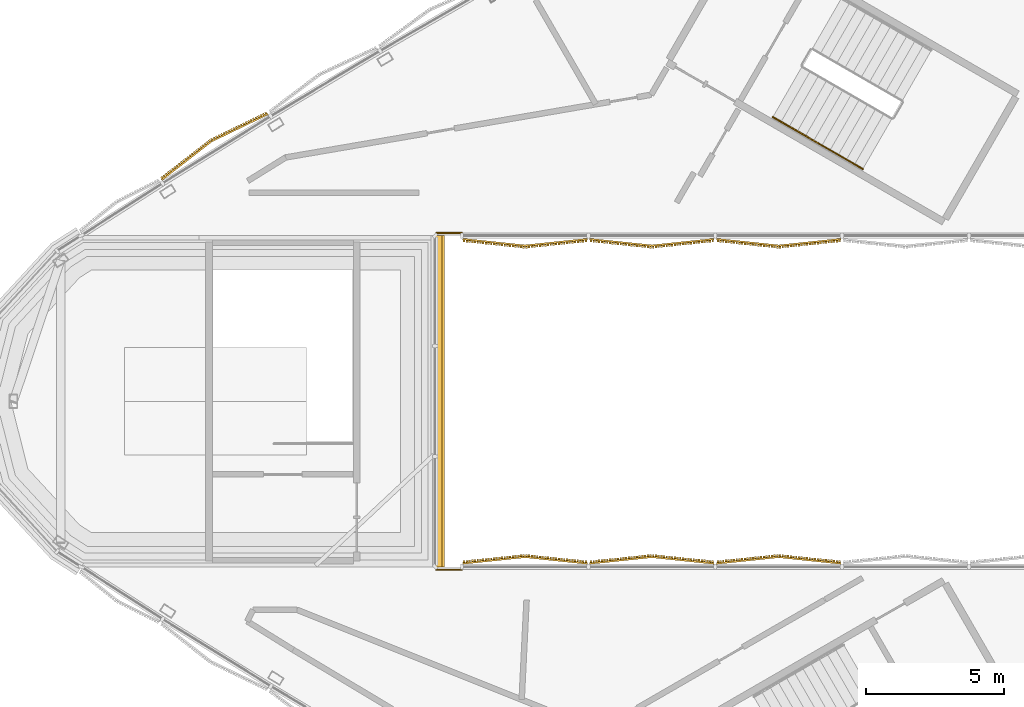
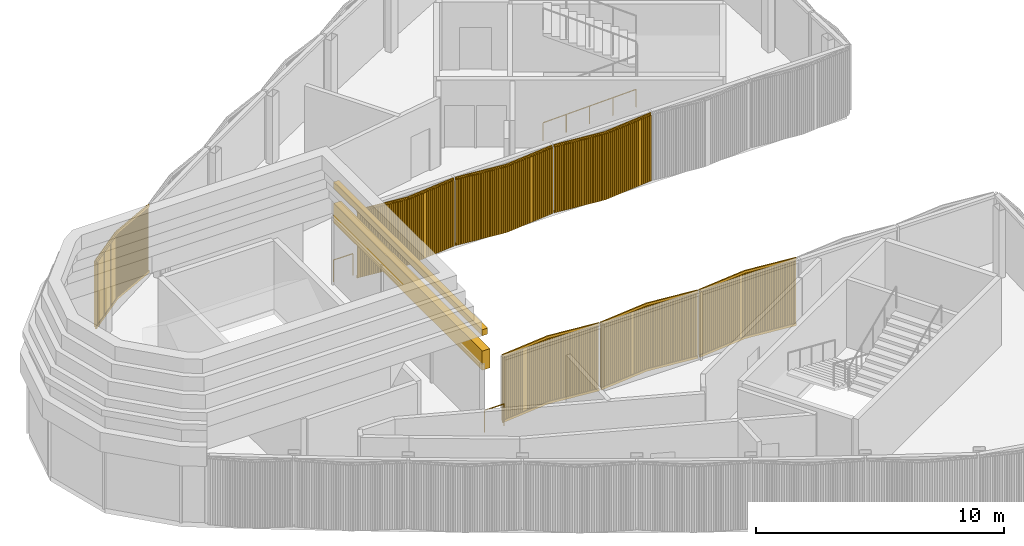
# One storey, part 11 of 16: 9 coverings, 3 railings.
"""IFC4 building model written with IfcOpenShell, lengths in metres."""

import ifcopenshell
import ifcopenshell.guid

model = None  # the IFC model being written
_history = None  # IfcOwnerHistory: only IFC2X3 demands one
_inside = {}  # id of a spatial element -> (the spatial element, [elements in it])
_under = {}  # id of a project, library or spatial element -> (it, [spatial elements below it])
_declared = {}  # id of a project -> (the project, [libraries it declares])
_typed = {}  # id of a type object -> (the type object, [elements of that type])
_made_of = {}  # id of a material, layer set ... -> (it, [elements and type objects made of it])


def new_model(schema):
    """Start an empty IFC model of exactly this schema.

    Asked for "IFC4X3", IfcOpenShell would pick the latest addendum, in which some entities
    have other attributes; the version numbers below select the first issue.
    IFC2X3 requires an IfcOwnerHistory on every rooted entity: one is made here for all.
    """
    global model, _history
    if schema == "IFC4X3":
        model = ifcopenshell.file(schema_version=(4, 3, 0, 0))
    else:
        model = ifcopenshell.file(schema=schema)
    _inside.clear()
    _under.clear()
    _declared.clear()
    _typed.clear()
    _made_of.clear()
    _history = None
    if model.schema == "IFC2X3":
        org = make("IfcOrganization", Name="unknown")
        user = make(
            "IfcPersonAndOrganization",
            ThePerson=make("IfcPerson", FamilyName="unknown"),
            TheOrganization=org,
        )
        app = make(
            "IfcApplication",
            ApplicationDeveloper=org,
            Version="unknown",
            ApplicationFullName="unknown",
            ApplicationIdentifier="unknown",
        )
        _history = make(
            "IfcOwnerHistory",
            OwningUser=user,
            OwningApplication=app,
            ChangeAction="ADDED",
            CreationDate=0,
        )
    return model


def make(cls, **values):
    """One entity of the class cls with the attributes given. An attribute that is None is left unset."""
    return model.create_entity(
        cls, **{name: value for name, value in values.items() if value is not None}
    )


def rooted(cls, **values):
    """An entity with a GlobalId (a new one), such as an element, a storey or a relation."""
    return make(cls, GlobalId=ifcopenshell.guid.new(), OwnerHistory=_history, **values)


def si_unit(unit_type, name, prefix=None):
    """IfcSIUnit, for example si_unit("LENGTHUNIT", "METRE", prefix="MILLI")."""
    return make("IfcSIUnit", UnitType=unit_type, Prefix=prefix, Name=name)


def assignment(units):
    """IfcUnitAssignment: the units of a project."""
    return None if units is None else make("IfcUnitAssignment", Units=units)


def point(xyz):
    """IfcCartesianPoint."""
    return None if xyz is None else make("IfcCartesianPoint", Coordinates=xyz)


def direction(xyz):
    """IfcDirection."""
    return None if xyz is None else make("IfcDirection", DirectionRatios=xyz)


def frame(location, z_axis=None, x_axis=None):
    """IfcAxis2Placement3D, a coordinate frame: its origin and axes. An axis left out is left unset."""
    return make(
        "IfcAxis2Placement3D",
        Location=point(location),
        Axis=direction(z_axis),
        RefDirection=direction(x_axis),
    )


def frame_2d(location, x_axis=None):
    """IfcAxis2Placement2D, a coordinate frame in the plane: its origin and x axis."""
    return make(
        "IfcAxis2Placement2D", Location=point(location), RefDirection=direction(x_axis)
    )


def origin():
    """The frame at (0, 0, 0) with its axes left unset."""
    return frame((0.0, 0.0, 0.0))


def origin_2d():
    """The frame at (0, 0) in the plane with its x axis left unset."""
    return frame_2d((0.0, 0.0))


def place(relative_to, where):
    """IfcLocalPlacement: puts the frame where relative to a parent placement (None: the world)."""
    return make(
        "IfcLocalPlacement", PlacementRelTo=relative_to, RelativePlacement=where
    )


def context(
    kind, dimensions, precision=None, world=None, true_north=None, identifier=None
):
    """IfcGeometricRepresentationContext, for example the 3D "Model" context."""
    return make(
        "IfcGeometricRepresentationContext",
        ContextIdentifier=identifier,
        ContextType=kind,
        CoordinateSpaceDimension=dimensions,
        Precision=precision,
        WorldCoordinateSystem=world,
        TrueNorth=true_north,
    )


def subcontext(parent, identifier, kind, view, scale=None):
    """IfcGeometricRepresentationSubContext, for example "Body" below "Model"."""
    return make(
        "IfcGeometricRepresentationSubContext",
        ContextIdentifier=identifier,
        ContextType=kind,
        ParentContext=parent,
        TargetScale=scale,
        TargetView=view,
    )


def project(units=None, contexts=None):
    """IfcProject with its units and contexts."""
    return rooted(
        "IfcProject",
        Name="project",
        RepresentationContexts=contexts,
        UnitsInContext=assignment(units),
    )


def spatial(cls, under=None, at=None, **own):
    """A site, building, storey or space (cls), placed at a placement, below another one or the project."""
    s = rooted(cls, ObjectPlacement=at, **own)
    if under is not None:
        _under.setdefault(under.id(), (under, []))[1].append(s)
    return s


def polyline(points):
    """IfcPolyline through the points."""
    return make("IfcPolyline", Points=[point(p) for p in points])


def profile(cls, at=None, kind="AREA", **sizes):
    """A parametric profile (cls). Its sizes go by their IFC names, for example OverallWidth=200.0."""
    return make(cls, ProfileType=kind, Position=at, **sizes)


def rectangle(**sizes):
    """IfcRectangleProfileDef."""
    return profile("IfcRectangleProfileDef", **sizes)


def circle(**sizes):
    """IfcCircleProfileDef."""
    return profile("IfcCircleProfileDef", **sizes)


def outline(outer, holes=None, kind="AREA"):
    """IfcArbitraryClosedProfileDef: a profile drawn as a closed curve; with holes, ...WithVoids."""
    if holes is None:
        return make("IfcArbitraryClosedProfileDef", ProfileType=kind, OuterCurve=outer)
    return make(
        "IfcArbitraryProfileDefWithVoids",
        ProfileType=kind,
        OuterCurve=outer,
        InnerCurves=holes,
    )


def extrude(swept, where, along, depth):
    """IfcExtrudedAreaSolid: the profile swept, set in the frame where, extruded along a direction by depth."""
    return make(
        "IfcExtrudedAreaSolid",
        SweptArea=swept,
        Position=where,
        ExtrudedDirection=direction(along),
        Depth=depth,
    )


def shape(context_of_items, identifier, shape_type, items):
    """IfcShapeRepresentation: the items that make up one representation, for example the "Body"."""
    return make(
        "IfcShapeRepresentation",
        ContextOfItems=context_of_items,
        RepresentationIdentifier=identifier,
        RepresentationType=shape_type,
        Items=items,
    )


def source(mapping_origin, context_of_items, identifier, shape_type, items):
    """IfcRepresentationMap: a shape defined once, which mapped items show again and again."""
    return make(
        "IfcRepresentationMap",
        MappingOrigin=mapping_origin,
        MappedRepresentation=shape(context_of_items, identifier, shape_type, items),
    )


def transform(
    local_origin,
    x_axis=None,
    y_axis=None,
    z_axis=None,
    scale=None,
    scale2=None,
    scale3=None,
    uniform=True,
):
    """IfcCartesianTransformationOperator3D, or its non-uniform kind. x_axis, y_axis, z_axis: its Axis1, 2, 3."""
    if uniform:
        return make(
            "IfcCartesianTransformationOperator3D",
            Axis1=direction(x_axis),
            Axis2=direction(y_axis),
            LocalOrigin=point(local_origin),
            Scale=scale,
            Axis3=direction(z_axis),
        )
    return make(
        "IfcCartesianTransformationOperator3DnonUniform",
        Axis1=direction(x_axis),
        Axis2=direction(y_axis),
        LocalOrigin=point(local_origin),
        Scale=scale,
        Axis3=direction(z_axis),
        Scale2=scale2,
        Scale3=scale3,
    )


def mapped(mapping_source, mapping_target):
    """IfcMappedItem: shows the shape of a source again, moved by a transform."""
    return make(
        "IfcMappedItem", MappingSource=mapping_source, MappingTarget=mapping_target
    )


def material(Name=None, Category=None):
    """IfcMaterial."""
    return make("IfcMaterial", Name=Name, Category=Category)


def layer(
    of_material, thickness, ventilated=None, Name=None, Category=None, Priority=None
):
    """IfcMaterialLayer: one layer of a wall or slab, of a material (None: an air gap)."""
    return make(
        "IfcMaterialLayer",
        Material=of_material,
        LayerThickness=thickness,
        IsVentilated=ventilated,
        Name=Name,
        Category=Category,
        Priority=Priority,
    )


def layer_set(layers, Name=None):
    """IfcMaterialLayerSet."""
    return make("IfcMaterialLayerSet", MaterialLayers=layers, LayerSetName=Name)


def made_of(thing, what):
    """Note that an element or type object is made of a material, layer set ...; save() writes the relation."""
    if what is not None:
        _made_of.setdefault(what.id(), (what, []))[1].append(thing)
    return thing


def type_object(cls, material=None, **own):
    """A type object (cls), such as IfcWallType, which elements share."""
    return made_of(rooted(cls, **own), material)


def element(
    cls,
    number,
    at=None,
    inside=None,
    cuts=None,
    type_object=None,
    material=None,
    context=None,
    identifier="Body",
    shape_type=None,
    held_by="IfcProductDefinitionShape",
    body=None,
    shapes=None,
    **own,
):
    """One element of the class cls, such as IfcWall. Its Tag is "e" and its number.

    at: its placement. inside: the storey or other place that contains it. cuts: it is an
    opening in that element (IfcRelVoidsElement). A single representation is given by context,
    identifier, shape_type and body (its items); several are given by shapes. held_by: the class
    of the entity that holds the representations. save() writes the other relations.
    """
    e = rooted(cls, Tag="e%d" % number, ObjectPlacement=at, **own)
    if body is not None:
        shapes = [shape(context, identifier, shape_type, body)]
    if shapes is not None:
        e.Representation = make(held_by, Representations=shapes)
    if inside is not None:
        _inside.setdefault(inside.id(), (inside, []))[1].append(e)
    if cuts is not None:
        rooted(
            "IfcRelVoidsElement", RelatingBuildingElement=cuts, RelatedOpeningElement=e
        )
    if type_object is not None:
        _typed.setdefault(type_object.id(), (type_object, []))[1].append(e)
    return made_of(e, material)


def aggregate(whole, parts):
    """IfcRelAggregates: a whole, such as a stair, and the parts it consists of."""
    return rooted("IfcRelAggregates", RelatingObject=whole, RelatedObjects=parts)


def save(model, path):
    """Write the relations noted so far, then the file.

    IfcRelAggregates (storeys below a building ...), IfcRelContainedInSpatialStructure (elements
    in a storey), IfcRelDefinesByType, IfcRelAssociatesMaterial and IfcRelDeclares: one each for
    every whole, place, type object, material and project.
    """
    for whole, parts in _under.values():
        aggregate(whole, parts)
    for where, things in _inside.values():
        rooted(
            "IfcRelContainedInSpatialStructure",
            RelatedElements=things,
            RelatingStructure=where,
        )
    for kind, things in _typed.values():
        rooted("IfcRelDefinesByType", RelatedObjects=things, RelatingType=kind)
    for what, things in _made_of.values():
        rooted("IfcRelAssociatesMaterial", RelatedObjects=things, RelatingMaterial=what)
    for by, libraries in _declared.values():
        rooted("IfcRelDeclares", RelatingContext=by, RelatedDefinitions=libraries)
    model.write(path)


model = new_model("IFC4")

# Units and contexts
model_context = context("Model", 3, precision=1e-05, world=origin(), true_north=direction((0.0, 1.0)))
body_context = subcontext(model_context, "Body", "Model", "MODEL_VIEW")
ifc_project = project(units=[si_unit("LENGTHUNIT", "METRE"), si_unit("AREAUNIT", "SQUARE_METRE"), si_unit("VOLUMEUNIT", "CUBIC_METRE"), si_unit("PLANEANGLEUNIT", "RADIAN"), si_unit("MASSUNIT", "GRAM", prefix="KILO")], contexts=[model_context])

# Site, building, storey
site_placement = place(None, origin())
site = spatial("IfcSite", under=ifc_project, at=site_placement, CompositionType="ELEMENT")
building_placement = place(site_placement, origin())
building = spatial("IfcBuilding", under=site, at=building_placement, Name="Tamra Quay Hotel Tower", CompositionType="ELEMENT")
storey_placement = place(building_placement, frame((0.0, 0.0, 327.800048828125)))
storey = spatial("IfcBuildingStorey", under=building, at=storey_placement, Name="Roof crown 3", CompositionType="ELEMENT", Elevation=327.800048828125)

# Railings
ifc_material_1 = material(Name="Stainless steel balustrade", Category="steel")
railing_type_1 = type_object("IfcRailingType", Name="EXTERIOR GUARD 1100", PredefinedType="GUARDRAIL", material=ifc_material_1)
railing_1_placement = place(storey_placement, frame((-7.949951171875, 6.10009765625, 0.0)))
element("IfcRailing", 1, at=railing_1_placement, inside=storey, type_object=railing_type_1, Name="GR1", PredefinedType="GUARDRAIL", context=body_context, shape_type="SweptSolid", body=[
    extrude(circle(Radius=0.02392578125, at=origin_2d()), frame((0.0, 0.0, 1.076171875), z_axis=(1.0, 0.0, 0.0), x_axis=(0.0, 1.0, 0.0)), (0.0, 0.0, 1.0), 0.91259765625),
    extrude(circle(Radius=0.02099609375, at=origin_2d()), origin(), (0.0, 0.0, 1.0), 1.052001953125),
    extrude(circle(Radius=0.02099609375, at=origin_2d()), frame((0.91259765625, 0.0, 0.0)), (0.0, 0.0, 1.0), 1.052001953125),
])
railing_2_placement = place(storey_placement, frame((-7.037353515625, -6.10009765625, 0.0)))
element("IfcRailing", 2, at=railing_2_placement, inside=storey, type_object=railing_type_1, Name="GR1", PredefinedType="GUARDRAIL", context=body_context, shape_type="SweptSolid", body=[
    extrude(circle(Radius=0.02392578125, at=origin_2d()), frame((0.0, 0.0, 1.076171875), z_axis=(-1.0, 0.0, 0.0), x_axis=(0.0, -1.0, 0.0)), (0.0, 0.0, 1.0), 0.91259765625),
    extrude(circle(Radius=0.02099609375, at=origin_2d()), origin(), (0.0, 0.0, 1.0), 1.052001953125),
    extrude(circle(Radius=0.02099609375, at=origin_2d()), frame((-0.91259765625, 0.0, 0.0)), (0.0, 0.0, 1.0), 1.052001953125),
])

# Coverings
ifc_material_2 = material(Name="Precast concrete M60 terracotta-coloured pierced relief", Category="masonry")
ifc_layer = layer(ifc_material_2, 0.10009765625)
ifc_layer_set = layer_set([ifc_layer], Name="PIERCED RELIEF PANEL 100")
covering_type_1 = type_object("IfcCoveringType", Name="PIERCED RELIEF PANEL 100", PredefinedType="CLADDING", material=ifc_layer_set)
covering_1_placement = place(storey_placement, frame((0.0, 0.0, 3.0)))
element("IfcCovering", 3, at=covering_1_placement, inside=storey, type_object=covering_type_1, Name="Lantern C cornice 1", PredefinedType="CLADDING", context=body_context, shape_type="SweptSolid", body=[
    extrude(outline(polyline([(-8.0, -6.0), (-7.64990234375, -6.0), (-7.64990234375, 6.0), (-8.0, 6.0), (-8.0, 2.0), (-8.0, -2.0), (-8.0, -6.0)])), origin(), (0.0, 0.0, 1.0), 0.949951171875),
])
covering_2_placement = place(storey_placement, frame((0.0, 0.0, 4.699951171875)))
element("IfcCovering", 4, at=covering_2_placement, inside=storey, type_object=covering_type_1, Name="Lantern C coping 1", PredefinedType="CLADDING", context=body_context, shape_type="SweptSolid", body=[
    extrude(outline(polyline([(-8.0, -6.0), (-7.75, -6.0), (-7.75, 6.0), (-8.0, 6.0), (-8.0, 2.0), (-8.0, -2.0), (-8.0, -6.0)])), origin(), (0.0, 0.0, 1.0), 0.300048828125),
])

# Railing
ifc_material_3 = material(Name="Stair handrail 900")
railing_type_2 = type_object("IfcRailingType", Name="Stair handrail 900", PredefinedType="HANDRAIL", material=ifc_material_3)
railing_3_placement = place(storey_placement, frame((4.234375, 10.294189453125, 0.14990234375)))
element("IfcRailing", 5, at=railing_3_placement, inside=storey, type_object=railing_type_2, Name="HR", PredefinedType="HANDRAIL", context=body_context, shape_type="SweptSolid", body=[
    extrude(circle(Radius=0.02392578125, at=origin_2d()), frame((0.0, 0.0, 0.8759765625), z_axis=(0.793103162556, -0.457854384738, 0.401692339881), x_axis=(0.499964013922, 0.86604617936, 0.0)), (0.0, 0.0, 1.0), 4.10791015625),
    extrude(circle(Radius=0.02099609375, at=origin_2d()), origin(), (0.0, 0.0, 1.0), 0.851806640625),
    extrude(circle(Radius=0.02099609375, at=origin_2d()), frame((0.814453125, -0.47021484375, 0.41259765625)), (0.0, 0.0, 1.0), 0.851806640625),
    extrude(circle(Radius=0.02099609375, at=origin_2d()), frame((1.62890625, -0.9404296875, 0.8251953125)), (0.0, 0.0, 1.0), 0.851806640625),
    extrude(circle(Radius=0.02099609375, at=origin_2d()), frame((2.443603515625, -1.41064453125, 1.237548828125)), (0.0, 0.0, 1.0), 0.851806640625),
    extrude(circle(Radius=0.02099609375, at=origin_2d()), frame((3.258056640625, -1.880859375, 1.650146484375)), (0.0, 0.0, 1.0), 0.851806640625),
])

# Coverings
ifc_material_4 = material(Name="Terracotta baguette extruded", Category="masonry")
covering_type_2 = type_object("IfcCoveringType", Name="BAGUETTE SCREEN CROWN H3350", PredefinedType="USERDEFINED", material=ifc_material_4)
shared_shape_1 = source(origin(), body_context, "Body", "SweptSolid", [
    extrude(rectangle(XDim=2.27490234375, YDim=0.06005859375, at=frame_2d((1.137451171875, 0.030029296875))), frame((-2.268798828125, -0.0576171875, -0.1201171875), z_axis=(0.0, 0.0, 1.0), x_axis=(0.994521895368, -0.104528463268, 0.0)), (0.0, 0.0, 1.0), 0.1201171875),
    extrude(rectangle(XDim=2.27490234375, YDim=0.06005859375, at=frame_2d((1.137451171875, 0.030029296875))), frame((-2.268798828125, -0.0576171875, -3.35009765625), z_axis=(0.0, 0.0, 1.0), x_axis=(0.994521895368, -0.104528463268, 0.0)), (0.0, 0.0, 1.0), 0.1201171875),
    extrude(rectangle(XDim=0.070068359375, YDim=0.10009765625, at=frame_2d((0.03515625, 0.050048828125))), frame((-2.248291015625, -0.133056640625, -3.2900390625)), (0.0, 0.0, 1.0), 3.22998046875),
    extrude(rectangle(XDim=0.070068359375, YDim=0.10009765625, at=frame_2d((0.03515625, 0.050048828125))), frame((-2.14990234375, -0.1435546875, -3.2900390625)), (0.0, 0.0, 1.0), 3.22998046875),
    extrude(rectangle(XDim=0.070068359375, YDim=0.10009765625, at=frame_2d((0.03515625, 0.050048828125))), frame((-2.051513671875, -0.15380859375, -3.2900390625)), (0.0, 0.0, 1.0), 3.22998046875),
    extrude(rectangle(XDim=0.070068359375, YDim=0.10009765625, at=frame_2d((0.03515625, 0.050048828125))), frame((-1.953125, -0.164306640625, -3.2900390625)), (0.0, 0.0, 1.0), 3.22998046875),
    extrude(rectangle(XDim=0.070068359375, YDim=0.10009765625, at=frame_2d((0.03515625, 0.050048828125))), frame((-1.854736328125, -0.174560546875, -3.2900390625)), (0.0, 0.0, 1.0), 3.22998046875),
    extrude(rectangle(XDim=0.070068359375, YDim=0.10009765625, at=frame_2d((0.03515625, 0.050048828125))), frame((-1.756591796875, -0.184814453125, -3.2900390625)), (0.0, 0.0, 1.0), 3.22998046875),
    extrude(rectangle(XDim=0.070068359375, YDim=0.10009765625, at=frame_2d((0.03515625, 0.050048828125))), frame((-1.658203125, -0.1953125, -3.2900390625)), (0.0, 0.0, 1.0), 3.22998046875),
    extrude(rectangle(XDim=0.070068359375, YDim=0.10009765625, at=frame_2d((0.03515625, 0.050048828125))), frame((-1.559814453125, -0.20556640625, -3.2900390625)), (0.0, 0.0, 1.0), 3.22998046875),
    extrude(rectangle(XDim=0.070068359375, YDim=0.10009765625, at=frame_2d((0.03515625, 0.050048828125))), frame((-1.46142578125, -0.2158203125, -3.2900390625)), (0.0, 0.0, 1.0), 3.22998046875),
    extrude(rectangle(XDim=0.070068359375, YDim=0.10009765625, at=frame_2d((0.03515625, 0.050048828125))), frame((-1.363037109375, -0.226318359375, -3.2900390625)), (0.0, 0.0, 1.0), 3.22998046875),
    extrude(rectangle(XDim=0.070068359375, YDim=0.10009765625, at=frame_2d((0.03515625, 0.050048828125))), frame((-1.2646484375, -0.236572265625, -3.2900390625)), (0.0, 0.0, 1.0), 3.22998046875),
    extrude(rectangle(XDim=0.070068359375, YDim=0.10009765625, at=frame_2d((0.03515625, 0.050048828125))), frame((-1.166259765625, -0.246826171875, -3.2900390625)), (0.0, 0.0, 1.0), 3.22998046875),
    extrude(rectangle(XDim=0.070068359375, YDim=0.10009765625, at=frame_2d((0.03515625, 0.050048828125))), frame((-1.06787109375, -0.25732421875, -3.2900390625)), (0.0, 0.0, 1.0), 3.22998046875),
    extrude(rectangle(XDim=0.070068359375, YDim=0.10009765625, at=frame_2d((0.03515625, 0.050048828125))), frame((-0.969482421875, -0.267578125, -3.2900390625)), (0.0, 0.0, 1.0), 3.22998046875),
    extrude(rectangle(XDim=0.070068359375, YDim=0.10009765625, at=frame_2d((0.03515625, 0.050048828125))), frame((-0.87109375, -0.27783203125, -3.2900390625)), (0.0, 0.0, 1.0), 3.22998046875),
    extrude(rectangle(XDim=0.070068359375, YDim=0.10009765625, at=frame_2d((0.03515625, 0.050048828125))), frame((-0.772705078125, -0.288330078125, -3.2900390625)), (0.0, 0.0, 1.0), 3.22998046875),
    extrude(rectangle(XDim=0.070068359375, YDim=0.10009765625, at=frame_2d((0.03515625, 0.050048828125))), frame((-0.67431640625, -0.298583984375, -3.2900390625)), (0.0, 0.0, 1.0), 3.22998046875),
    extrude(rectangle(XDim=0.070068359375, YDim=0.10009765625, at=frame_2d((0.03515625, 0.050048828125))), frame((-0.575927734375, -0.308837890625, -3.2900390625)), (0.0, 0.0, 1.0), 3.22998046875),
    extrude(rectangle(XDim=0.070068359375, YDim=0.10009765625, at=frame_2d((0.03515625, 0.050048828125))), frame((-0.4775390625, -0.3193359375, -3.2900390625)), (0.0, 0.0, 1.0), 3.22998046875),
    extrude(rectangle(XDim=0.070068359375, YDim=0.10009765625, at=frame_2d((0.03515625, 0.050048828125))), frame((-0.37939453125, -0.32958984375, -3.2900390625)), (0.0, 0.0, 1.0), 3.22998046875),
    extrude(rectangle(XDim=0.070068359375, YDim=0.10009765625, at=frame_2d((0.03515625, 0.050048828125))), frame((-0.281005859375, -0.33984375, -3.2900390625)), (0.0, 0.0, 1.0), 3.22998046875),
    extrude(rectangle(XDim=0.070068359375, YDim=0.10009765625, at=frame_2d((0.03515625, 0.050048828125))), frame((-0.1826171875, -0.350341796875, -3.2900390625)), (0.0, 0.0, 1.0), 3.22998046875),
    extrude(rectangle(XDim=0.070068359375, YDim=0.10009765625, at=frame_2d((0.03515625, 0.050048828125))), frame((-0.084228515625, -0.360595703125, -3.2900390625)), (0.0, 0.0, 1.0), 3.22998046875),
    extrude(rectangle(XDim=2.27490234375, YDim=0.06005859375, at=frame_2d((1.137451171875, 0.030029296875))), frame((0.00634765625, -0.29541015625, -0.1201171875), z_axis=(0.0, 0.0, 1.0), x_axis=(0.994521895368, 0.104528463268, 0.0)), (0.0, 0.0, 1.0), 0.1201171875),
    extrude(rectangle(XDim=2.27490234375, YDim=0.06005859375, at=frame_2d((1.137451171875, 0.030029296875))), frame((0.00634765625, -0.29541015625, -3.35009765625), z_axis=(0.0, 0.0, 1.0), x_axis=(0.994521895368, 0.104528463268, 0.0)), (0.0, 0.0, 1.0), 0.1201171875),
    extrude(rectangle(XDim=0.070068359375, YDim=0.10009765625, at=frame_2d((0.03515625, 0.050048828125))), frame((0.01416015625, -0.360595703125, -3.2900390625)), (0.0, 0.0, 1.0), 3.22998046875),
    extrude(rectangle(XDim=0.070068359375, YDim=0.10009765625, at=frame_2d((0.03515625, 0.050048828125))), frame((0.112548828125, -0.350341796875, -3.2900390625)), (0.0, 0.0, 1.0), 3.22998046875),
    extrude(rectangle(XDim=0.070068359375, YDim=0.10009765625, at=frame_2d((0.03515625, 0.050048828125))), frame((0.2109375, -0.33984375, -3.2900390625)), (0.0, 0.0, 1.0), 3.22998046875),
    extrude(rectangle(XDim=0.070068359375, YDim=0.10009765625, at=frame_2d((0.03515625, 0.050048828125))), frame((0.309326171875, -0.32958984375, -3.2900390625)), (0.0, 0.0, 1.0), 3.22998046875),
    extrude(rectangle(XDim=0.070068359375, YDim=0.10009765625, at=frame_2d((0.03515625, 0.050048828125))), frame((0.40771484375, -0.3193359375, -3.2900390625)), (0.0, 0.0, 1.0), 3.22998046875),
    extrude(rectangle(XDim=0.070068359375, YDim=0.10009765625, at=frame_2d((0.03515625, 0.050048828125))), frame((0.506103515625, -0.308837890625, -3.2900390625)), (0.0, 0.0, 1.0), 3.22998046875),
    extrude(rectangle(XDim=0.070068359375, YDim=0.10009765625, at=frame_2d((0.03515625, 0.050048828125))), frame((0.6044921875, -0.298583984375, -3.2900390625)), (0.0, 0.0, 1.0), 3.22998046875),
    extrude(rectangle(XDim=0.070068359375, YDim=0.10009765625, at=frame_2d((0.03515625, 0.050048828125))), frame((0.702880859375, -0.288330078125, -3.2900390625)), (0.0, 0.0, 1.0), 3.22998046875),
    extrude(rectangle(XDim=0.070068359375, YDim=0.10009765625, at=frame_2d((0.03515625, 0.050048828125))), frame((0.801025390625, -0.27783203125, -3.2900390625)), (0.0, 0.0, 1.0), 3.22998046875),
    extrude(rectangle(XDim=0.070068359375, YDim=0.10009765625, at=frame_2d((0.03515625, 0.050048828125))), frame((0.8994140625, -0.267578125, -3.2900390625)), (0.0, 0.0, 1.0), 3.22998046875),
    extrude(rectangle(XDim=0.070068359375, YDim=0.10009765625, at=frame_2d((0.03515625, 0.050048828125))), frame((0.997802734375, -0.25732421875, -3.2900390625)), (0.0, 0.0, 1.0), 3.22998046875),
    extrude(rectangle(XDim=0.070068359375, YDim=0.10009765625, at=frame_2d((0.03515625, 0.050048828125))), frame((1.09619140625, -0.246826171875, -3.2900390625)), (0.0, 0.0, 1.0), 3.22998046875),
    extrude(rectangle(XDim=0.070068359375, YDim=0.10009765625, at=frame_2d((0.03515625, 0.050048828125))), frame((1.194580078125, -0.236572265625, -3.2900390625)), (0.0, 0.0, 1.0), 3.22998046875),
    extrude(rectangle(XDim=0.070068359375, YDim=0.10009765625, at=frame_2d((0.03515625, 0.050048828125))), frame((1.29296875, -0.226318359375, -3.2900390625)), (0.0, 0.0, 1.0), 3.22998046875),
    extrude(rectangle(XDim=0.070068359375, YDim=0.10009765625, at=frame_2d((0.03515625, 0.050048828125))), frame((1.391357421875, -0.2158203125, -3.2900390625)), (0.0, 0.0, 1.0), 3.22998046875),
    extrude(rectangle(XDim=0.070068359375, YDim=0.10009765625, at=frame_2d((0.03515625, 0.050048828125))), frame((1.48974609375, -0.20556640625, -3.2900390625)), (0.0, 0.0, 1.0), 3.22998046875),
    extrude(rectangle(XDim=0.070068359375, YDim=0.10009765625, at=frame_2d((0.03515625, 0.050048828125))), frame((1.588134765625, -0.1953125, -3.2900390625)), (0.0, 0.0, 1.0), 3.22998046875),
    extrude(rectangle(XDim=0.070068359375, YDim=0.10009765625, at=frame_2d((0.03515625, 0.050048828125))), frame((1.6865234375, -0.184814453125, -3.2900390625)), (0.0, 0.0, 1.0), 3.22998046875),
    extrude(rectangle(XDim=0.070068359375, YDim=0.10009765625, at=frame_2d((0.03515625, 0.050048828125))), frame((1.784912109375, -0.174560546875, -3.2900390625)), (0.0, 0.0, 1.0), 3.22998046875),
    extrude(rectangle(XDim=0.070068359375, YDim=0.10009765625, at=frame_2d((0.03515625, 0.050048828125))), frame((1.88330078125, -0.164306640625, -3.2900390625)), (0.0, 0.0, 1.0), 3.22998046875),
    extrude(rectangle(XDim=0.070068359375, YDim=0.10009765625, at=frame_2d((0.03515625, 0.050048828125))), frame((1.981689453125, -0.15380859375, -3.2900390625)), (0.0, 0.0, 1.0), 3.22998046875),
    extrude(rectangle(XDim=0.070068359375, YDim=0.10009765625, at=frame_2d((0.03515625, 0.050048828125))), frame((2.079833984375, -0.1435546875, -3.2900390625)), (0.0, 0.0, 1.0), 3.22998046875),
    extrude(rectangle(XDim=0.070068359375, YDim=0.10009765625, at=frame_2d((0.03515625, 0.050048828125))), frame((2.17822265625, -0.133056640625, -3.2900390625)), (0.0, 0.0, 1.0), 3.22998046875),
])
covering_3_placement = place(storey_placement, frame((-15.95947265625, 9.189453125, 3.349853515625), z_axis=(0.0, 0.0, 1.0), x_axis=(-0.849981732244, -0.526812162779, 0.0)))
element("IfcCovering", 6, at=covering_3_placement, inside=storey, type_object=covering_type_2, Name="Baguette screen Roof crown 3.A.f10", ObjectType="BAGUETTE SCREEN", PredefinedType="USERDEFINED", context=body_context, shape_type="MappedRepresentation", body=[
    mapped(shared_shape_1, transform((0.0, 0.0, 0.0), scale=1.0)),
])
shared_shape_2 = source(origin(), body_context, "Body", "SweptSolid", [
    extrude(rectangle(XDim=2.264892578125, YDim=0.06005859375, at=frame_2d((1.13232421875, 0.030029296875))), frame((-2.2587890625, -0.0576171875, -0.1201171875), z_axis=(0.0, 0.0, 1.0), x_axis=(0.994521895368, -0.104528463268, 0.0)), (0.0, 0.0, 1.0), 0.1201171875),
    extrude(rectangle(XDim=2.264892578125, YDim=0.06005859375, at=frame_2d((1.13232421875, 0.030029296875))), frame((-2.2587890625, -0.0576171875, -3.35009765625), z_axis=(0.0, 0.0, 1.0), x_axis=(0.994521895368, -0.104528463268, 0.0)), (0.0, 0.0, 1.0), 0.1201171875),
    extrude(rectangle(XDim=0.070068359375, YDim=0.10009765625, at=frame_2d((0.03515625, 0.050048828125))), frame((-2.238525390625, -0.133056640625, -3.2900390625)), (0.0, 0.0, 1.0), 3.22998046875),
    extrude(rectangle(XDim=0.070068359375, YDim=0.10009765625, at=frame_2d((0.03515625, 0.050048828125))), frame((-2.140625, -0.1435546875, -3.2900390625)), (0.0, 0.0, 1.0), 3.22998046875),
    extrude(rectangle(XDim=0.070068359375, YDim=0.10009765625, at=frame_2d((0.03515625, 0.050048828125))), frame((-2.042724609375, -0.15380859375, -3.2900390625)), (0.0, 0.0, 1.0), 3.22998046875),
    extrude(rectangle(XDim=0.070068359375, YDim=0.10009765625, at=frame_2d((0.03515625, 0.050048828125))), frame((-1.94482421875, -0.1640625, -3.2900390625)), (0.0, 0.0, 1.0), 3.22998046875),
    extrude(rectangle(XDim=0.070068359375, YDim=0.10009765625, at=frame_2d((0.03515625, 0.050048828125))), frame((-1.8466796875, -0.17431640625, -3.2900390625)), (0.0, 0.0, 1.0), 3.22998046875),
    extrude(rectangle(XDim=0.070068359375, YDim=0.10009765625, at=frame_2d((0.03515625, 0.050048828125))), frame((-1.748779296875, -0.1845703125, -3.2900390625)), (0.0, 0.0, 1.0), 3.22998046875),
    extrude(rectangle(XDim=0.070068359375, YDim=0.10009765625, at=frame_2d((0.03515625, 0.050048828125))), frame((-1.65087890625, -0.19482421875, -3.2900390625)), (0.0, 0.0, 1.0), 3.22998046875),
    extrude(rectangle(XDim=0.070068359375, YDim=0.10009765625, at=frame_2d((0.03515625, 0.050048828125))), frame((-1.552978515625, -0.205078125, -3.2900390625)), (0.0, 0.0, 1.0), 3.22998046875),
    extrude(rectangle(XDim=0.070068359375, YDim=0.10009765625, at=frame_2d((0.03515625, 0.050048828125))), frame((-1.455078125, -0.215576171875, -3.2900390625)), (0.0, 0.0, 1.0), 3.22998046875),
    extrude(rectangle(XDim=0.070068359375, YDim=0.10009765625, at=frame_2d((0.03515625, 0.050048828125))), frame((-1.357177734375, -0.225830078125, -3.2900390625)), (0.0, 0.0, 1.0), 3.22998046875),
    extrude(rectangle(XDim=0.070068359375, YDim=0.10009765625, at=frame_2d((0.03515625, 0.050048828125))), frame((-1.25927734375, -0.236083984375, -3.2900390625)), (0.0, 0.0, 1.0), 3.22998046875),
    extrude(rectangle(XDim=0.070068359375, YDim=0.10009765625, at=frame_2d((0.03515625, 0.050048828125))), frame((-1.1611328125, -0.246337890625, -3.2900390625)), (0.0, 0.0, 1.0), 3.22998046875),
    extrude(rectangle(XDim=0.070068359375, YDim=0.10009765625, at=frame_2d((0.03515625, 0.050048828125))), frame((-1.063232421875, -0.256591796875, -3.2900390625)), (0.0, 0.0, 1.0), 3.22998046875),
    extrude(rectangle(XDim=0.070068359375, YDim=0.10009765625, at=frame_2d((0.03515625, 0.050048828125))), frame((-0.96533203125, -0.266845703125, -3.2900390625)), (0.0, 0.0, 1.0), 3.22998046875),
    extrude(rectangle(XDim=0.070068359375, YDim=0.10009765625, at=frame_2d((0.03515625, 0.050048828125))), frame((-0.867431640625, -0.27734375, -3.2900390625)), (0.0, 0.0, 1.0), 3.22998046875),
    extrude(rectangle(XDim=0.070068359375, YDim=0.10009765625, at=frame_2d((0.03515625, 0.050048828125))), frame((-0.76953125, -0.28759765625, -3.2900390625)), (0.0, 0.0, 1.0), 3.22998046875),
    extrude(rectangle(XDim=0.070068359375, YDim=0.10009765625, at=frame_2d((0.03515625, 0.050048828125))), frame((-0.671630859375, -0.2978515625, -3.2900390625)), (0.0, 0.0, 1.0), 3.22998046875),
    extrude(rectangle(XDim=0.070068359375, YDim=0.10009765625, at=frame_2d((0.03515625, 0.050048828125))), frame((-0.57373046875, -0.30810546875, -3.2900390625)), (0.0, 0.0, 1.0), 3.22998046875),
    extrude(rectangle(XDim=0.070068359375, YDim=0.10009765625, at=frame_2d((0.03515625, 0.050048828125))), frame((-0.475830078125, -0.318359375, -3.2900390625)), (0.0, 0.0, 1.0), 3.22998046875),
    extrude(rectangle(XDim=0.070068359375, YDim=0.10009765625, at=frame_2d((0.03515625, 0.050048828125))), frame((-0.377685546875, -0.32861328125, -3.2900390625)), (0.0, 0.0, 1.0), 3.22998046875),
    extrude(rectangle(XDim=0.070068359375, YDim=0.10009765625, at=frame_2d((0.03515625, 0.050048828125))), frame((-0.27978515625, -0.339111328125, -3.2900390625)), (0.0, 0.0, 1.0), 3.22998046875),
    extrude(rectangle(XDim=0.070068359375, YDim=0.10009765625, at=frame_2d((0.03515625, 0.050048828125))), frame((-0.181884765625, -0.349365234375, -3.2900390625)), (0.0, 0.0, 1.0), 3.22998046875),
    extrude(rectangle(XDim=0.070068359375, YDim=0.10009765625, at=frame_2d((0.03515625, 0.050048828125))), frame((-0.083984375, -0.359619140625, -3.2900390625)), (0.0, 0.0, 1.0), 3.22998046875),
    extrude(rectangle(XDim=2.264892578125, YDim=0.06005859375, at=frame_2d((1.13232421875, 0.030029296875))), frame((0.00634765625, -0.29443359375, -0.1201171875), z_axis=(0.0, 0.0, 1.0), x_axis=(0.994521895368, 0.104528463268, 0.0)), (0.0, 0.0, 1.0), 0.1201171875),
    extrude(rectangle(XDim=2.264892578125, YDim=0.06005859375, at=frame_2d((1.13232421875, 0.030029296875))), frame((0.00634765625, -0.29443359375, -3.35009765625), z_axis=(0.0, 0.0, 1.0), x_axis=(0.994521895368, 0.104528463268, 0.0)), (0.0, 0.0, 1.0), 0.1201171875),
    extrude(rectangle(XDim=0.070068359375, YDim=0.10009765625, at=frame_2d((0.03515625, 0.050048828125))), frame((0.013916015625, -0.359619140625, -3.2900390625)), (0.0, 0.0, 1.0), 3.22998046875),
    extrude(rectangle(XDim=0.070068359375, YDim=0.10009765625, at=frame_2d((0.03515625, 0.050048828125))), frame((0.11181640625, -0.349365234375, -3.2900390625)), (0.0, 0.0, 1.0), 3.22998046875),
    extrude(rectangle(XDim=0.070068359375, YDim=0.10009765625, at=frame_2d((0.03515625, 0.050048828125))), frame((0.2099609375, -0.339111328125, -3.2900390625)), (0.0, 0.0, 1.0), 3.22998046875),
    extrude(rectangle(XDim=0.070068359375, YDim=0.10009765625, at=frame_2d((0.03515625, 0.050048828125))), frame((0.307861328125, -0.32861328125, -3.2900390625)), (0.0, 0.0, 1.0), 3.22998046875),
    extrude(rectangle(XDim=0.070068359375, YDim=0.10009765625, at=frame_2d((0.03515625, 0.050048828125))), frame((0.40576171875, -0.318359375, -3.2900390625)), (0.0, 0.0, 1.0), 3.22998046875),
    extrude(rectangle(XDim=0.070068359375, YDim=0.10009765625, at=frame_2d((0.03515625, 0.050048828125))), frame((0.503662109375, -0.30810546875, -3.2900390625)), (0.0, 0.0, 1.0), 3.22998046875),
    extrude(rectangle(XDim=0.070068359375, YDim=0.10009765625, at=frame_2d((0.03515625, 0.050048828125))), frame((0.6015625, -0.2978515625, -3.2900390625)), (0.0, 0.0, 1.0), 3.22998046875),
    extrude(rectangle(XDim=0.070068359375, YDim=0.10009765625, at=frame_2d((0.03515625, 0.050048828125))), frame((0.699462890625, -0.28759765625, -3.2900390625)), (0.0, 0.0, 1.0), 3.22998046875),
    extrude(rectangle(XDim=0.070068359375, YDim=0.10009765625, at=frame_2d((0.03515625, 0.050048828125))), frame((0.79736328125, -0.27734375, -3.2900390625)), (0.0, 0.0, 1.0), 3.22998046875),
    extrude(rectangle(XDim=0.070068359375, YDim=0.10009765625, at=frame_2d((0.03515625, 0.050048828125))), frame((0.895263671875, -0.266845703125, -3.2900390625)), (0.0, 0.0, 1.0), 3.22998046875),
    extrude(rectangle(XDim=0.070068359375, YDim=0.10009765625, at=frame_2d((0.03515625, 0.050048828125))), frame((0.993408203125, -0.256591796875, -3.2900390625)), (0.0, 0.0, 1.0), 3.22998046875),
    extrude(rectangle(XDim=0.070068359375, YDim=0.10009765625, at=frame_2d((0.03515625, 0.050048828125))), frame((1.09130859375, -0.246337890625, -3.2900390625)), (0.0, 0.0, 1.0), 3.22998046875),
    extrude(rectangle(XDim=0.070068359375, YDim=0.10009765625, at=frame_2d((0.03515625, 0.050048828125))), frame((1.189208984375, -0.236083984375, -3.2900390625)), (0.0, 0.0, 1.0), 3.22998046875),
    extrude(rectangle(XDim=0.070068359375, YDim=0.10009765625, at=frame_2d((0.03515625, 0.050048828125))), frame((1.287109375, -0.225830078125, -3.2900390625)), (0.0, 0.0, 1.0), 3.22998046875),
    extrude(rectangle(XDim=0.070068359375, YDim=0.10009765625, at=frame_2d((0.03515625, 0.050048828125))), frame((1.385009765625, -0.215576171875, -3.2900390625)), (0.0, 0.0, 1.0), 3.22998046875),
    extrude(rectangle(XDim=0.070068359375, YDim=0.10009765625, at=frame_2d((0.03515625, 0.050048828125))), frame((1.48291015625, -0.205078125, -3.2900390625)), (0.0, 0.0, 1.0), 3.22998046875),
    extrude(rectangle(XDim=0.070068359375, YDim=0.10009765625, at=frame_2d((0.03515625, 0.050048828125))), frame((1.580810546875, -0.19482421875, -3.2900390625)), (0.0, 0.0, 1.0), 3.22998046875),
    extrude(rectangle(XDim=0.070068359375, YDim=0.10009765625, at=frame_2d((0.03515625, 0.050048828125))), frame((1.678955078125, -0.1845703125, -3.2900390625)), (0.0, 0.0, 1.0), 3.22998046875),
    extrude(rectangle(XDim=0.070068359375, YDim=0.10009765625, at=frame_2d((0.03515625, 0.050048828125))), frame((1.77685546875, -0.17431640625, -3.2900390625)), (0.0, 0.0, 1.0), 3.22998046875),
    extrude(rectangle(XDim=0.070068359375, YDim=0.10009765625, at=frame_2d((0.03515625, 0.050048828125))), frame((1.874755859375, -0.1640625, -3.2900390625)), (0.0, 0.0, 1.0), 3.22998046875),
    extrude(rectangle(XDim=0.070068359375, YDim=0.10009765625, at=frame_2d((0.03515625, 0.050048828125))), frame((1.97265625, -0.15380859375, -3.2900390625)), (0.0, 0.0, 1.0), 3.22998046875),
    extrude(rectangle(XDim=0.070068359375, YDim=0.10009765625, at=frame_2d((0.03515625, 0.050048828125))), frame((2.070556640625, -0.1435546875, -3.2900390625)), (0.0, 0.0, 1.0), 3.22998046875),
    extrude(rectangle(XDim=0.070068359375, YDim=0.10009765625, at=frame_2d((0.03515625, 0.050048828125))), frame((2.16845703125, -0.133056640625, -3.2900390625)), (0.0, 0.0, 1.0), 3.22998046875),
])
for number, where, z_axis, x_axis, name in (
    (7, (-4.740966796875, 5.902099609375, 3.349853515625), (0.0, 0.0, 1.0), (1.0, 0.0, 0.0), "Baguette screen Roof crown 3.A.f15"),
    (8, (-0.148193359375, 5.902099609375, 3.349853515625), (0.0, 0.0, 1.0), (1.0, 0.0, 0.0), "Baguette screen Roof crown 3.A.f16"),
    (9, (4.444580078125, 5.902099609375, 3.349853515625), (0.0, 0.0, 1.0), (1.0, 0.0, 0.0), "Baguette screen Roof crown 3.A.f17"),
    (10, (4.444580078125, -5.902099609375, 3.349853515625), (0.0, 0.0, 1.0), (-1.0, 0.0, 0.0), "Baguette screen Roof crown 3.B.f02"),
    (11, (-0.148193359375, -5.902099609375, 3.349853515625), (0.0, 0.0, 1.0), (-1.0, 0.0, 0.0), "Baguette screen Roof crown 3.B.f03"),
    (12, (-4.740966796875, -5.902099609375, 3.349853515625), (0.0, 0.0, 1.0), (-1.0, 0.0, 0.0), "Baguette screen Roof crown 3.B.f04"),
):
    element("IfcCovering", number, at=place(storey_placement, frame(where, z_axis=z_axis, x_axis=x_axis)), inside=storey, type_object=covering_type_2, Name=name, ObjectType="BAGUETTE SCREEN", PredefinedType="USERDEFINED", context=body_context, shape_type="MappedRepresentation", body=[
        mapped(shared_shape_2, transform((0.0, 0.0, 0.0), scale=1.0)),
    ])

save(model, "model.ifc")
